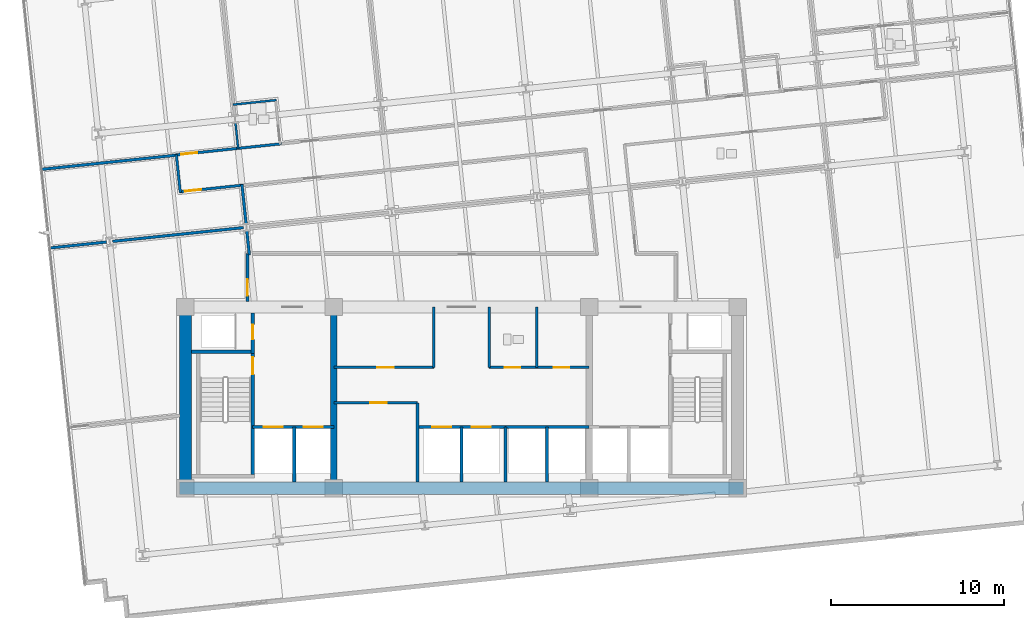
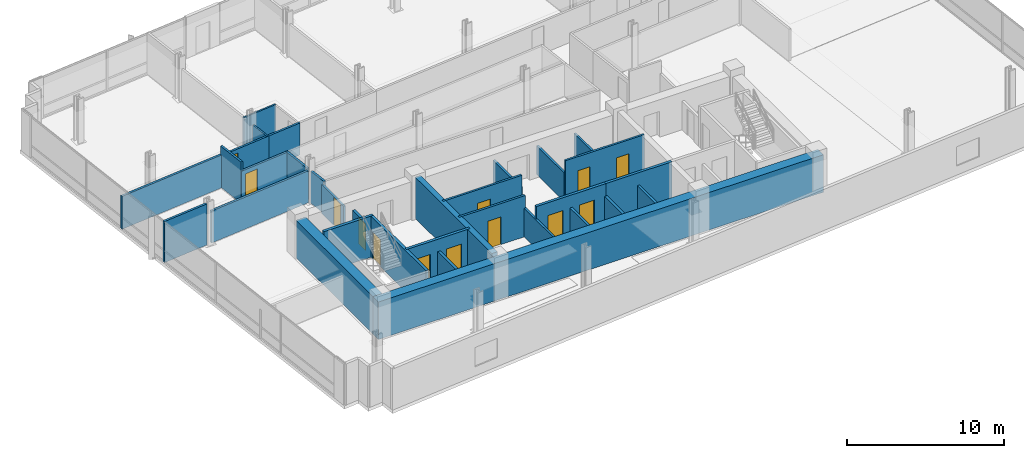
# One storey, part 13 of 21: 32 walls, 13 doors, 13 openings.
"""IFC4 building model written with IfcOpenShell, lengths in metres."""

from ifc_helpers import new_model, si_unit, direction, frame, frame_2d, origin, place, context, subcontext, project, spatial, rectangle, extrude, material, layer, layer_set, type_object, element, fill, save


model = new_model("IFC4")

# Units and contexts
model_context = context("Model", 3, precision=1e-05, world=origin(), true_north=direction((0.0, 1.0)))
body_context = subcontext(model_context, "Body", "Model", "MODEL_VIEW")
ifc_project = project(units=[si_unit("LENGTHUNIT", "METRE"), si_unit("AREAUNIT", "SQUARE_METRE"), si_unit("VOLUMEUNIT", "CUBIC_METRE"), si_unit("PLANEANGLEUNIT", "RADIAN"), si_unit("MASSUNIT", "GRAM", prefix="KILO")], contexts=[model_context])

# Site, building, storey
site_placement = place(None, origin())
site = spatial("IfcSite", under=ifc_project, at=site_placement, CompositionType="ELEMENT")
building_placement = place(site_placement, origin())
building = spatial("IfcBuilding", under=site, at=building_placement, Name="Solmavex Isthmus Hotel", CompositionType="ELEMENT")
storey_placement = place(building_placement, frame((0.0, 0.0, 113.25)))
storey = spatial("IfcBuildingStorey", under=building, at=storey_placement, Name="L30", CompositionType="ELEMENT", Elevation=113.25)

# Wall, opening, door
ifc_material_1 = material(Name="Gypsum plasterboard lining", Category="gypsum")
ifc_layer_1 = layer(ifc_material_1, 0.159912109375)
ifc_layer_set_1 = layer_set([ifc_layer_1], Name="Gypsum plasterboard lining")
wall_type_1 = type_object("IfcWallType", Name="IW-COMP-160", PredefinedType="PARTITIONING", material=ifc_layer_set_1)
wall_1_placement = place(storey_placement, frame((-7.39990234375, -8.050048828125, 0.0), z_axis=(0.0, 0.0, 1.0), x_axis=(1.0, 0.0, 0.0)))
wall_1 = element("IfcWall", 1, at=wall_1_placement, inside=storey, type_object=wall_type_1, Name="Interior Partition Wall W-L30-REC-PLL-N", PredefinedType="PARTITIONING", context=body_context, shape_type="SweptSolid", body=[
    extrude(rectangle(XDim=4.849853515625, YDim=0.159912109375, at=frame_2d((2.4248046875, 0.0))), origin(), (0.0, 0.0, 1.0), 3.18994140625),
])
opening_1_placement = place(wall_1_placement, frame((2.125, 0.0, 0.0)))
opening_1 = element("IfcOpeningElement", 2, at=opening_1_placement, cuts=wall_1, Name="Opening ID-C095", PredefinedType="OPENING", context=body_context, shape_type="SweptSolid", body=[
    extrude(rectangle(XDim=0.949951171875, YDim=2.14990234375, at=frame_2d((0.47509765625, 1.074951171875))), frame((0.0, 0.08984375, 0.0), z_axis=(0.0, -1.0, 0.0), x_axis=(1.0, 0.0, 0.0)), (0.0, 0.0, 1.0), 0.179931640625),
])
ifc_material_2 = material(Name="Hardwood timber", Category="wood")
door_type_1 = type_object("IfcDoorType", Name="IDR-FD60-0950", OperationType="NOTDEFINED", PredefinedType="DOOR", material=ifc_material_2)
door_1_placement = place(opening_1_placement, origin())
door_1 = element("IfcDoor", 3, at=door_1_placement, inside=storey, type_object=door_type_1, Name="Linen Reserve Door L30", OperationType="SINGLE_SWING_LEFT", OverallHeight=2.14990234375, OverallWidth=0.949951171875, PredefinedType="DOOR", context=body_context, shape_type="SweptSolid", body=[
    extrude(rectangle(XDim=0.949951171875, YDim=2.14990234375, at=frame_2d((0.47509765625, 1.074951171875))), frame((0.0, 0.02490234375, 0.0), z_axis=(0.0, -1.0, 0.0), x_axis=(1.0, 0.0, 0.0)), (0.0, 0.0, 1.0), 0.050048828125),
])
fill(opening_1, door_1)

# Walls
wall_2_placement = place(storey_placement, frame((-2.550048828125, -12.64990234375, 0.0), z_axis=(0.0, 0.0, 1.0), x_axis=(0.0, 1.0, 0.0)))
element("IfcWall", 4, at=wall_2_placement, inside=storey, type_object=wall_type_1, Name="Interior Partition Wall W-L30-REC-PLL-E", PredefinedType="PARTITIONING", context=body_context, shape_type="SweptSolid", body=[
    extrude(rectangle(XDim=4.599853515625, YDim=0.159912109375, at=frame_2d((2.2998046875, 0.0))), origin(), (0.0, 0.0, 1.0), 2.22509765625),
])
wall_3_placement = place(storey_placement, frame((-16.47802734375, 6.301513671875, 0.0), z_axis=(0.0, 0.0, 1.0), x_axis=(-0.994519786396, -0.104548526856, 0.0)))
element("IfcWall", 5, at=wall_3_placement, inside=storey, type_object=wall_type_1, Name="Interior Partition Wall W-L30-P027", PredefinedType="PARTITIONING", context=body_context, shape_type="SweptSolid", body=[
    extrude(rectangle(XDim=7.927978515625, YDim=0.159912109375, at=frame_2d((3.9638671875, 0.0))), origin(), (0.0, 0.0, 1.0), 2.55322265625),
])
wall_4_placement = place(storey_placement, frame((-12.718994140625, 4.594970703125, 0.0), z_axis=(0.0, 0.0, 1.0), x_axis=(0.104569435529, -0.994517588157, 0.0)))
element("IfcWall", 6, at=wall_4_placement, inside=storey, type_object=wall_type_1, Name="Interior Partition Wall W-L30-P057", PredefinedType="PARTITIONING", context=body_context, shape_type="SweptSolid", body=[
    extrude(rectangle(XDim=2.313720703125, YDim=0.159912109375, at=frame_2d((1.15673828125, 0.0))), origin(), (0.0, 0.0, 1.0), 2.4794921875),
])
wall_5_placement = place(storey_placement, frame((-20.558349609375, 1.267333984375, 0.0), z_axis=(0.0, 0.0, 1.0), x_axis=(-0.99451904707, -0.10455555946, 0.0)))
element("IfcWall", 7, at=wall_5_placement, inside=storey, type_object=wall_type_1, Name="Interior Partition Wall W-L30-P058", PredefinedType="PARTITIONING", context=body_context, shape_type="SweptSolid", body=[
    extrude(rectangle(XDim=3.34375, YDim=0.159912109375, at=frame_2d((1.671875, 0.0))), origin(), (0.0, 0.0, 1.0), 3.18994140625),
])
wall_6_placement = place(storey_placement, frame((-12.634033203125, 2.10009765625, 0.0), z_axis=(0.0, 0.0, 1.0), x_axis=(-0.994524056968, -0.104507894972, 0.0)))
element("IfcWall", 8, at=wall_6_placement, inside=storey, type_object=wall_type_1, Name="Interior Partition Wall W-L30-P059", PredefinedType="PARTITIONING", context=body_context, shape_type="SweptSolid", body=[
    extrude(rectangle(XDim=7.61572265625, YDim=0.159912109375, at=frame_2d((3.807861328125, 0.0))), origin(), (0.0, 0.0, 1.0), 2.4794921875),
])
wall_7_placement = place(storey_placement, frame((-12.289794921875, 0.51025390625, 0.0), z_axis=(0.0, 0.0, 1.0), x_axis=(-0.104534854339, 0.994521223619, 0.0)))
element("IfcWall", 9, at=wall_7_placement, inside=storey, type_object=wall_type_1, Name="Interior Partition Wall W-L30-P063", PredefinedType="PARTITIONING", context=body_context, shape_type="SweptSolid", body=[
    extrude(rectangle(XDim=1.44091796875, YDim=0.159912109375, at=frame_2d((0.720458984375, 0.0))), origin(), (0.0, 0.0, 1.0), 2.4794921875),
])

# Wall, opening, door
ifc_layer_2 = layer(ifc_material_1, 0.14990234375)
ifc_layer_set_2 = layer_set([ifc_layer_2], Name="Gypsum plasterboard lining")
wall_type_2 = type_object("IfcWallType", Name="IW-CORR-150", PredefinedType="PARTITIONING", material=ifc_layer_set_2)
wall_8_placement = place(storey_placement, frame((-7.39990234375, -6.0, 0.0), z_axis=(0.0, 0.0, 1.0), x_axis=(1.0, 0.0, 0.0)))
wall_8 = element("IfcWall", 10, at=wall_8_placement, inside=storey, type_object=wall_type_2, Name="Interior Partition Wall W-L30-BOH-WS", PredefinedType="PARTITIONING", context=body_context, shape_type="SweptSolid", body=[
    extrude(rectangle(XDim=5.7998046875, YDim=0.14990234375, at=frame_2d((2.89990234375, 0.0))), origin(), (0.0, 0.0, 1.0), 3.18994140625),
])
opening_2_placement = place(wall_8_placement, frame((2.52490234375, 0.0, 0.0)))
opening_2 = element("IfcOpeningElement", 11, at=opening_2_placement, cuts=wall_8, Name="Opening ID-C095", PredefinedType="OPENING", context=body_context, shape_type="SweptSolid", body=[
    extrude(rectangle(XDim=0.949951171875, YDim=2.14990234375, at=frame_2d((0.47509765625, 1.074951171875))), frame((0.0, 0.0849609375, 0.0), z_axis=(0.0, -1.0, 0.0), x_axis=(1.0, 0.0, 0.0)), (0.0, 0.0, 1.0), 0.169921875),
])
door_2_placement = place(opening_2_placement, frame((0.949951171875, 0.0, 0.0), z_axis=(0.0, 0.0, 1.0), x_axis=(-1.0, 0.0, 0.0)))
door_2 = element("IfcDoor", 12, at=door_2_placement, inside=storey, type_object=door_type_1, Name="Housekeeping Room Door L30", OperationType="SINGLE_SWING_LEFT", OverallHeight=2.14990234375, OverallWidth=0.949951171875, PredefinedType="DOOR", context=body_context, shape_type="SweptSolid", body=[
    extrude(rectangle(XDim=0.949951171875, YDim=2.14990234375, at=frame_2d((0.47509765625, 1.074951171875))), frame((0.0, 0.02490234375, 0.0), z_axis=(0.0, -1.0, 0.0), x_axis=(1.0, 0.0, 0.0)), (0.0, 0.0, 1.0), 0.050048828125),
])
fill(opening_2, door_2)

# Wall
wall_9_placement = place(storey_placement, frame((-1.60009765625, -6.0, 0.0), z_axis=(0.0, 0.0, 1.0), x_axis=(0.0, 1.0, 0.0)))
element("IfcWall", 13, at=wall_9_placement, inside=storey, type_object=wall_type_2, Name="Interior Partition Wall W-L30-BOH-WE", PredefinedType="PARTITIONING", context=body_context, shape_type="SweptSolid", body=[
    extrude(rectangle(XDim=3.5, YDim=0.14990234375, at=frame_2d((1.75, 0.0))), origin(), (0.0, 0.0, 1.0), 2.22509765625),
])

# Wall, openings, doors
wall_10_placement = place(storey_placement, frame((1.60009765625, -6.0, 0.0), z_axis=(0.0, 0.0, 1.0), x_axis=(1.0, 0.0, 0.0)))
wall_10 = element("IfcWall", 14, at=wall_10_placement, inside=storey, type_object=wall_type_2, Name="Interior Partition Wall W-L30-BOH-ES", PredefinedType="PARTITIONING", context=body_context, shape_type="SweptSolid", body=[
    extrude(rectangle(XDim=5.7998046875, YDim=0.14990234375, at=frame_2d((2.89990234375, 0.0))), origin(), (0.0, 0.0, 1.0), 3.18994140625),
])
opening_3_placement = place(wall_10_placement, frame((0.89990234375, 0.0, 0.0)))
opening_3 = element("IfcOpeningElement", 15, at=opening_3_placement, cuts=wall_10, Name="Opening ID-C090", PredefinedType="OPENING", context=body_context, shape_type="SweptSolid", body=[
    extrude(rectangle(XDim=0.89990234375, YDim=2.10009765625, at=frame_2d((0.449951171875, 1.050048828125))), frame((0.0, 0.0849609375, 0.0), z_axis=(0.0, -1.0, 0.0), x_axis=(1.0, 0.0, 0.0)), (0.0, 0.0, 1.0), 0.169921875),
])
opening_4_placement = place(wall_10_placement, frame((3.75, 0.0, 0.0)))
opening_4 = element("IfcOpeningElement", 16, at=opening_4_placement, cuts=wall_10, Name="Opening ID-C090", PredefinedType="OPENING", context=body_context, shape_type="SweptSolid", body=[
    extrude(rectangle(XDim=0.89990234375, YDim=2.10009765625, at=frame_2d((0.449951171875, 1.050048828125))), frame((0.0, 0.0849609375, 0.0), z_axis=(0.0, -1.0, 0.0), x_axis=(1.0, 0.0, 0.0)), (0.0, 0.0, 1.0), 0.169921875),
])
door_type_2 = type_object("IfcDoorType", Name="IDR-FD60-0900", OperationType="NOTDEFINED", PredefinedType="DOOR", material=ifc_material_2)
door_3_placement = place(opening_3_placement, frame((0.89990234375, 0.0, 0.0), z_axis=(0.0, 0.0, 1.0), x_axis=(-1.0, 0.0, 0.0)))
door_3 = element("IfcDoor", 17, at=door_3_placement, inside=storey, type_object=door_type_2, Name="Staff WC Door L30", OperationType="SINGLE_SWING_RIGHT", OverallHeight=2.10009765625, OverallWidth=0.89990234375, PredefinedType="DOOR", context=body_context, shape_type="SweptSolid", body=[
    extrude(rectangle(XDim=0.89990234375, YDim=2.10009765625, at=frame_2d((0.449951171875, 1.050048828125))), frame((0.0, 0.02490234375, 0.0), z_axis=(0.0, -1.0, 0.0), x_axis=(1.0, 0.0, 0.0)), (0.0, 0.0, 1.0), 0.050048828125),
])
fill(opening_3, door_3)
door_4_placement = place(opening_4_placement, frame((0.89990234375, 0.0, 0.0), z_axis=(0.0, 0.0, 1.0), x_axis=(-1.0, 0.0, 0.0)))
door_4 = element("IfcDoor", 18, at=door_4_placement, inside=storey, type_object=door_type_2, Name="Pantry Door L30", OperationType="SINGLE_SWING_LEFT", OverallHeight=2.10009765625, OverallWidth=0.89990234375, PredefinedType="DOOR", context=body_context, shape_type="SweptSolid", body=[
    extrude(rectangle(XDim=0.89990234375, YDim=2.10009765625, at=frame_2d((0.449951171875, 1.050048828125))), frame((0.0, 0.02490234375, 0.0), z_axis=(0.0, -1.0, 0.0), x_axis=(1.0, 0.0, 0.0)), (0.0, 0.0, 1.0), 0.050048828125),
])
fill(opening_4, door_4)

# Wall
wall_11_placement = place(storey_placement, frame((1.60009765625, -6.0, 0.0), z_axis=(0.0, 0.0, 1.0), x_axis=(0.0, 1.0, 0.0)))
element("IfcWall", 19, at=wall_11_placement, inside=storey, type_object=wall_type_2, Name="Interior Partition Wall W-L30-BOH-EW", PredefinedType="PARTITIONING", context=body_context, shape_type="SweptSolid", body=[
    extrude(rectangle(XDim=3.5, YDim=0.14990234375, at=frame_2d((1.75, 0.0))), origin(), (0.0, 0.0, 1.0), 2.22509765625),
])

# Wall, opening, door
wall_12_placement = place(storey_placement, frame((-16.5595703125, 6.31298828125, 0.0), z_axis=(0.0, 0.0, 1.0), x_axis=(0.994525204328, 0.104496975826, 0.0)))
wall_12 = element("IfcWall", 20, at=wall_12_placement, inside=storey, type_object=wall_type_2, Name="Interior Partition Wall W-L30-P001", PredefinedType="PARTITIONING", context=body_context, shape_type="SweptSolid", body=[
    extrude(rectangle(XDim=3.7216796875, YDim=0.14990234375, at=frame_2d((1.86083984375, 0.0))), origin(), (0.0, 0.0, 1.0), 2.4794921875),
])
opening_5_placement = place(wall_12_placement, frame((0.315185546875, 0.0, 0.0)))
opening_5 = element("IfcOpeningElement", 21, at=opening_5_placement, cuts=wall_12, Name="Opening ID-C095", PredefinedType="OPENING", context=body_context, shape_type="SweptSolid", body=[
    extrude(rectangle(XDim=0.949951171875, YDim=2.14990234375, at=frame_2d((0.47509765625, 1.074951171875))), frame((0.0, 0.0849609375, 0.0), z_axis=(0.0, -1.0, 0.0), x_axis=(1.0, 0.0, 0.0)), (0.0, 0.0, 1.0), 0.169921875),
])
door_5_placement = place(opening_5_placement, frame((0.949951171875, 0.0, 0.0), z_axis=(0.0, 0.0, 1.0), x_axis=(-1.0, 0.0, 0.0)))
door_5 = element("IfcDoor", 22, at=door_5_placement, inside=storey, type_object=door_type_1, Name="Executive Hospitality Lounge Door L30-01", OperationType="SINGLE_SWING_LEFT", OverallHeight=2.14990234375, OverallWidth=0.949951171875, PredefinedType="DOOR", context=body_context, shape_type="SweptSolid", body=[
    extrude(rectangle(XDim=0.949951171875, YDim=2.14990234375, at=frame_2d((0.47509765625, 1.074951171875))), frame((0.0, 0.02490234375, 0.0), z_axis=(0.0, -1.0, 0.0), x_axis=(1.0, 0.0, 0.0)), (0.0, 0.0, 1.0), 0.050048828125),
])
fill(opening_5, door_5)

# Wall
wall_13_placement = place(storey_placement, frame((-13.021240234375, 6.684814453125, 0.0), z_axis=(0.0, 0.0, 1.0), x_axis=(0.994524370789, 0.104504908528, 0.0)))
element("IfcWall", 23, at=wall_13_placement, inside=storey, type_object=wall_type_2, Name="Interior Partition Wall W-L30-P003", PredefinedType="PARTITIONING", context=body_context, shape_type="SweptSolid", body=[
    extrude(rectangle(XDim=2.6142578125, YDim=0.14990234375, at=frame_2d((1.30712890625, 0.0))), origin(), (0.0, 0.0, 1.0), 2.4794921875),
])

# Wall, opening, door
wall_14_placement = place(storey_placement, frame((-12.63330078125, 4.563720703125, 0.0), z_axis=(0.0, 0.0, 1.0), x_axis=(-0.994525920558, -0.104490159046, 0.0)))
wall_14 = element("IfcWall", 24, at=wall_14_placement, inside=storey, type_object=wall_type_2, Name="Interior Partition Wall W-L30-P012", PredefinedType="PARTITIONING", context=body_context, shape_type="SweptSolid", body=[
    extrude(rectangle(XDim=3.721923828125, YDim=0.14990234375, at=frame_2d((1.86083984375, 0.0))), origin(), (0.0, 0.0, 1.0), 2.4794921875),
])
opening_6_placement = place(wall_14_placement, frame((2.456787109375, 0.0, 0.0)))
opening_6 = element("IfcOpeningElement", 25, at=opening_6_placement, cuts=wall_14, Name="Opening ID-C095", PredefinedType="OPENING", context=body_context, shape_type="SweptSolid", body=[
    extrude(rectangle(XDim=0.949951171875, YDim=2.14990234375, at=frame_2d((0.47509765625, 1.074951171875))), frame((0.0, 0.0849609375, 0.0), z_axis=(0.0, -1.0, 0.0), x_axis=(1.0, 0.0, 0.0)), (0.0, 0.0, 1.0), 0.169921875),
])
door_6_placement = place(opening_6_placement, frame((0.949951171875, 0.0, 0.0), z_axis=(0.0, 0.0, 1.0), x_axis=(-1.0, 0.0, 0.0)))
door_6 = element("IfcDoor", 26, at=door_6_placement, inside=storey, type_object=door_type_1, Name="Executive Meeting Room Door L30-14", OperationType="SINGLE_SWING_RIGHT", OverallHeight=2.14990234375, OverallWidth=0.949951171875, PredefinedType="DOOR", context=body_context, shape_type="SweptSolid", body=[
    extrude(rectangle(XDim=0.949951171875, YDim=2.14990234375, at=frame_2d((0.47509765625, 1.074951171875))), frame((0.0, 0.02490234375, 0.0), z_axis=(0.0, -1.0, 0.0), x_axis=(1.0, 0.0, 0.0)), (0.0, 0.0, 1.0), 0.050048828125),
])
fill(opening_6, door_6)

# Wall
wall_15_placement = place(storey_placement, frame((-16.291015625, 4.13916015625, 0.0), z_axis=(0.0, 0.0, 1.0), x_axis=(-0.104512255544, 0.994523598735, 0.0)))
element("IfcWall", 27, at=wall_15_placement, inside=storey, type_object=wall_type_2, Name="Interior Partition Wall W-L30-P013", PredefinedType="PARTITIONING", context=body_context, shape_type="SweptSolid", body=[
    extrude(rectangle(XDim=2.2099609375, YDim=0.14990234375, at=frame_2d((1.10498046875, 0.0))), origin(), (0.0, 0.0, 1.0), 3.18994140625),
])

# Wall, opening, door
wall_16_placement = place(storey_placement, frame((-12.39990234375, -2.18994140625, 0.0), z_axis=(0.0, 0.0, 1.0), x_axis=(0.0, 1.0, 0.0)))
wall_16 = element("IfcWall", 28, at=wall_16_placement, inside=storey, type_object=wall_type_2, Name="Interior Partition Wall W-L30-P018", PredefinedType="PARTITIONING", context=body_context, shape_type="SweptSolid", body=[
    extrude(rectangle(XDim=2.780029296875, YDim=0.14990234375, at=frame_2d((1.39013671875, 0.0))), origin(), (0.0, 0.0, 1.0), 2.22509765625),
])
opening_7_placement = place(wall_16_placement, frame((0.347900390625, 0.0, 0.0)))
opening_7 = element("IfcOpeningElement", 29, at=opening_7_placement, cuts=wall_16, Name="Opening ID-C095", PredefinedType="OPENING", context=body_context, shape_type="SweptSolid", body=[
    extrude(rectangle(XDim=0.949951171875, YDim=2.14990234375, at=frame_2d((0.47509765625, 1.074951171875))), frame((0.0, 0.0849609375, 0.0), z_axis=(0.0, -1.0, 0.0), x_axis=(1.0, 0.0, 0.0)), (0.0, 0.0, 1.0), 0.169921875),
])
door_7_placement = place(opening_7_placement, frame((0.949951171875, 0.0, 0.0), z_axis=(0.0, 0.0, 1.0), x_axis=(-1.0, 0.0, 0.0)))
door_7 = element("IfcDoor", 30, at=door_7_placement, inside=storey, type_object=door_type_1, Name="Club Reading Library Door L30-17", OperationType="SINGLE_SWING_LEFT", OverallHeight=2.14990234375, OverallWidth=0.949951171875, PredefinedType="DOOR", context=body_context, shape_type="SweptSolid", body=[
    extrude(rectangle(XDim=0.949951171875, YDim=2.14990234375, at=frame_2d((0.47509765625, 1.074951171875))), frame((0.0, 0.02490234375, 0.0), z_axis=(0.0, -1.0, 0.0), x_axis=(1.0, 0.0, 0.0)), (0.0, 0.0, 1.0), 0.050048828125),
])
fill(opening_7, door_7)

# Walls
ifc_layer_3 = layer(ifc_material_1, 0.1201171875)
ifc_layer_set_3 = layer_set([ifc_layer_3], Name="Gypsum plasterboard lining")
wall_type_3 = type_object("IfcWallType", Name="IW-PART-120", PredefinedType="PARTITIONING", material=ifc_layer_set_3)
wall_17_placement = place(storey_placement, frame((4.35009765625, -6.0, 0.0), z_axis=(0.0, 0.0, 1.0), x_axis=(0.0, 1.0, 0.0)))
element("IfcWall", 31, at=wall_17_placement, inside=storey, type_object=wall_type_3, Name="Interior Partition Wall W-L30-BOH-EM0", PredefinedType="PARTITIONING", context=body_context, shape_type="SweptSolid", body=[
    extrude(rectangle(XDim=3.5, YDim=0.14990234375, at=frame_2d((1.75, 0.0))), origin(), (0.0, 0.0, 1.0), 2.22509765625),
])
wall_18_placement = place(storey_placement, frame((-13.0986328125, 8.206787109375, 0.0), z_axis=(0.0, 0.0, 1.0), x_axis=(0.104578999325, -0.994516582516, 0.0)))
element("IfcWall", 32, at=wall_18_placement, inside=storey, type_object=wall_type_3, Name="Interior Partition Wall W-L30-P026", PredefinedType="PARTITIONING", context=body_context, shape_type="SweptSolid", body=[
    extrude(rectangle(XDim=1.561767578125, YDim=0.1201171875, at=frame_2d((0.78076171875, 0.0))), origin(), (0.0, 0.0, 1.0), 2.4794921875),
])
wall_19_placement = place(storey_placement, frame((-10.729736328125, 9.48974609375, 0.0), z_axis=(0.0, 0.0, 1.0), x_axis=(-0.994523944136, -0.104508968707, 0.0)))
element("IfcWall", 33, at=wall_19_placement, inside=storey, type_object=wall_type_3, Name="Interior Partition Wall W-L30-P029", PredefinedType="PARTITIONING", context=body_context, shape_type="SweptSolid", body=[
    extrude(rectangle(XDim=2.530029296875, YDim=0.1201171875, at=frame_2d((1.26513671875, 0.0))), origin(), (0.0, 0.0, 1.0), 2.4794921875),
])
ifc_material_3 = material(Name="Concrete C40/50", Category="concrete")
ifc_layer_4 = layer(ifc_material_3, 0.179931640625)
ifc_layer_set_4 = layer_set([ifc_layer_4], Name="Concrete C40/50")
wall_type_4 = type_object("IfcWallType", Name="IW-SHAFT-180", PredefinedType="PARTITIONING", material=ifc_layer_set_4)
for number, where, z_axis, x_axis, name in (
    (34, (0.0, -12.64990234375, 0.0), (0.0, 0.0, 1.0), (0.0, 1.0, 0.0), "Interior Partition Wall W-L30-SH-PLM-M"),
    (35, (4.949951171875, -12.64990234375, 0.0), (0.0, 0.0, 1.0), (0.0, 1.0, 0.0), "Interior Partition Wall W-L30-SH-PLH-M"),
):
    element("IfcWall", number, at=place(storey_placement, frame(where, z_axis=z_axis, x_axis=x_axis)), inside=storey, type_object=wall_type_4, Name=name, PredefinedType="PARTITIONING", context=body_context, shape_type="SweptSolid", body=[
        extrude(rectangle(XDim=3.199951171875, YDim=0.179931640625, at=frame_2d((1.60009765625, 0.0))), origin(), (0.0, 0.0, 1.0), 2.22509765625),
    ])

# Wall, opening, door
ifc_layer_5 = layer(ifc_material_3, 0.199951171875)
ifc_layer_set_5 = layer_set([ifc_layer_5], Name="Concrete C40/50")
wall_type_5 = type_object("IfcWallType", Name="IW-SHAFT-200", PredefinedType="PARTITIONING", material=ifc_layer_set_5)
wall_20_placement = place(storey_placement, frame((-12.10009765625, -5.199951171875, 0.0), z_axis=(0.0, 0.0, 1.0), x_axis=(0.0, 1.0, 0.0)))
wall_20 = element("IfcWall", 36, at=wall_20_placement, inside=storey, type_object=wall_type_5, Name="Interior Partition Wall W-L30-RSW-E", PredefinedType="PARTITIONING", context=body_context, shape_type="SweptSolid", body=[
    extrude(rectangle(XDim=2.349853515625, YDim=0.199951171875, at=frame_2d((1.1748046875, 0.0))), origin(), (0.0, 0.0, 1.0), 2.22509765625),
])
opening_8_placement = place(wall_20_placement, frame((0.824951171875, 0.0, 0.0)))
opening_8 = element("IfcOpeningElement", 37, at=opening_8_placement, cuts=wall_20, Name="Opening ID-R085", PredefinedType="OPENING", context=body_context, shape_type="SweptSolid", body=[
    extrude(rectangle(XDim=0.85009765625, YDim=2.050048828125, at=frame_2d((0.425048828125, 1.02490234375))), frame((0.0, 0.10986328125, 0.0), z_axis=(0.0, -1.0, 0.0), x_axis=(1.0, 0.0, 0.0)), (0.0, 0.0, 1.0), 0.219970703125),
])
ifc_material_4 = material(Name="Steel ASTM A500 Grade C", Category="steel")
door_type_3 = type_object("IfcDoorType", Name="IDR-FD60-0850", OperationType="NOTDEFINED", PredefinedType="DOOR", material=ifc_material_4)
door_8_placement = place(opening_8_placement, origin())
door_8 = element("IfcDoor", 38, at=door_8_placement, inside=storey, type_object=door_type_3, Name="Electrical Riser Door L30", OperationType="SINGLE_SWING_RIGHT", OverallHeight=2.050048828125, OverallWidth=0.85009765625, PredefinedType="DOOR", context=body_context, shape_type="SweptSolid", body=[
    extrude(rectangle(XDim=0.85009765625, YDim=2.050048828125, at=frame_2d((0.425048828125, 1.02490234375))), frame((0.0, 0.02490234375, 0.0), z_axis=(0.0, -1.0, 0.0), x_axis=(1.0, 0.0, 0.0)), (0.0, 0.0, 1.0), 0.050048828125),
])
fill(opening_8, door_8)

# Wall, openings, doors
wall_21_placement = place(storey_placement, frame((-12.10009765625, -9.449951171875, 0.0), z_axis=(0.0, 0.0, 1.0), x_axis=(1.0, 0.0, 0.0)))
wall_21 = element("IfcWall", 39, at=wall_21_placement, inside=storey, type_object=wall_type_5, Name="Interior Partition Wall W-L30-FFLW-S", PredefinedType="PARTITIONING", context=body_context, shape_type="SweptSolid", body=[
    extrude(rectangle(XDim=4.7001953125, YDim=0.199951171875, at=frame_2d((2.35009765625, 0.0))), origin(), (0.0, 0.0, 1.0), 3.18994140625),
])
opening_9_placement = place(wall_21_placement, frame((0.64990234375, 0.0, 0.0)))
opening_9 = element("IfcOpeningElement", 40, at=opening_9_placement, cuts=wall_21, Name="Opening LD-FF", PredefinedType="OPENING", context=body_context, shape_type="SweptSolid", body=[
    extrude(rectangle(XDim=1.10009765625, YDim=2.199951171875, at=frame_2d((0.550048828125, 1.10009765625))), frame((0.0, 0.10986328125, 0.0), z_axis=(0.0, -1.0, 0.0), x_axis=(1.0, 0.0, 0.0)), (0.0, 0.0, 1.0), 0.219970703125),
])
opening_10_placement = place(wall_21_placement, frame((2.949951171875, 0.0, 0.0)))
opening_10 = element("IfcOpeningElement", 41, at=opening_10_placement, cuts=wall_21, Name="Opening LD-SV", PredefinedType="OPENING", context=body_context, shape_type="SweptSolid", body=[
    extrude(rectangle(XDim=1.10009765625, YDim=2.199951171875, at=frame_2d((0.550048828125, 1.10009765625))), frame((0.0, 0.10986328125, 0.0), z_axis=(0.0, -1.0, 0.0), x_axis=(1.0, 0.0, 0.0)), (0.0, 0.0, 1.0), 0.219970703125),
])
ifc_material_5 = material(Name="Stainless steel 316", Category="steel")
door_type_4 = type_object("IfcDoorType", Name="LDR-FF-1100", OperationType="NOTDEFINED", PredefinedType="DOOR", material=ifc_material_5)
door_9_placement = place(opening_9_placement, origin())
door_9 = element("IfcDoor", 42, at=door_9_placement, inside=storey, type_object=door_type_4, Name="Lift Landing Door FFL-1 L30", OperationType="SLIDING_TO_LEFT", OverallHeight=2.199951171875, OverallWidth=1.10009765625, PredefinedType="DOOR", context=body_context, shape_type="SweptSolid", body=[
    extrude(rectangle(XDim=1.10009765625, YDim=2.199951171875, at=frame_2d((0.550048828125, 1.10009765625))), frame((0.0, 0.02490234375, 0.0), z_axis=(0.0, -1.0, 0.0), x_axis=(1.0, 0.0, 0.0)), (0.0, 0.0, 1.0), 0.050048828125),
])
fill(opening_9, door_9)
door_type_5 = type_object("IfcDoorType", Name="LDR-SV-1100", OperationType="NOTDEFINED", PredefinedType="DOOR", material=ifc_material_5)
door_10_placement = place(opening_10_placement, origin())
door_10 = element("IfcDoor", 43, at=door_10_placement, inside=storey, type_object=door_type_5, Name="Lift Landing Door SVL-1 L30", OperationType="SLIDING_TO_RIGHT", OverallHeight=2.199951171875, OverallWidth=1.10009765625, PredefinedType="DOOR", context=body_context, shape_type="SweptSolid", body=[
    extrude(rectangle(XDim=1.10009765625, YDim=2.199951171875, at=frame_2d((0.550048828125, 1.10009765625))), frame((0.0, 0.02490234375, 0.0), z_axis=(0.0, -1.0, 0.0), x_axis=(1.0, 0.0, 0.0)), (0.0, 0.0, 1.0), 0.050048828125),
])
fill(opening_10, door_10)

# Wall
wall_22_placement = place(storey_placement, frame((-9.699951171875, -12.64990234375, 0.0), z_axis=(0.0, 0.0, 1.0), x_axis=(0.0, 1.0, 0.0)))
element("IfcWall", 44, at=wall_22_placement, inside=storey, type_object=wall_type_5, Name="Interior Partition Wall W-L30-FFLW-M", PredefinedType="PARTITIONING", context=body_context, shape_type="SweptSolid", body=[
    extrude(rectangle(XDim=3.199951171875, YDim=0.199951171875, at=frame_2d((1.60009765625, 0.0))), origin(), (0.0, 0.0, 1.0), 2.22509765625),
])

# Wall, openings, doors
wall_23_placement = place(storey_placement, frame((-2.550048828125, -9.449951171875, 0.0), z_axis=(0.0, 0.0, 1.0), x_axis=(1.0, 0.0, 0.0)))
wall_23 = element("IfcWall", 45, at=wall_23_placement, inside=storey, type_object=wall_type_5, Name="Interior Partition Wall W-L30-SH-PLM", PredefinedType="PARTITIONING", context=body_context, shape_type="SweptSolid", body=[
    extrude(rectangle(XDim=5.10009765625, YDim=0.199951171875, at=frame_2d((2.550048828125, 0.0))), origin(), (0.0, 0.0, 1.0), 3.18994140625),
])
opening_11_placement = place(wall_23_placement, frame((0.85009765625, 0.0, 0.0)))
opening_11 = element("IfcOpeningElement", 46, at=opening_11_placement, cuts=wall_23, Name="Opening LD-PL", PredefinedType="OPENING", context=body_context, shape_type="SweptSolid", body=[
    extrude(rectangle(XDim=1.10009765625, YDim=2.199951171875, at=frame_2d((0.550048828125, 1.10009765625))), frame((0.0, 0.10986328125, 0.0), z_axis=(0.0, -1.0, 0.0), x_axis=(1.0, 0.0, 0.0)), (0.0, 0.0, 1.0), 0.219970703125),
])
opening_12_placement = place(wall_23_placement, frame((3.14990234375, 0.0, 0.0)))
opening_12 = element("IfcOpeningElement", 47, at=opening_12_placement, cuts=wall_23, Name="Opening LD-PL", PredefinedType="OPENING", context=body_context, shape_type="SweptSolid", body=[
    extrude(rectangle(XDim=1.10009765625, YDim=2.199951171875, at=frame_2d((0.550048828125, 1.10009765625))), frame((0.0, 0.10986328125, 0.0), z_axis=(0.0, -1.0, 0.0), x_axis=(1.0, 0.0, 0.0)), (0.0, 0.0, 1.0), 0.219970703125),
])
door_type_6 = type_object("IfcDoorType", Name="LDR-PL-1100", OperationType="NOTDEFINED", PredefinedType="DOOR", material=ifc_material_5)
door_11_placement = place(opening_11_placement, origin())
door_11 = element("IfcDoor", 48, at=door_11_placement, inside=storey, type_object=door_type_6, Name="Lift Landing Door PLM1 L30", OperationType="SLIDING_TO_RIGHT", OverallHeight=2.199951171875, OverallWidth=1.10009765625, PredefinedType="DOOR", context=body_context, shape_type="SweptSolid", body=[
    extrude(rectangle(XDim=1.10009765625, YDim=2.199951171875, at=frame_2d((0.550048828125, 1.10009765625))), frame((0.0, 0.02490234375, 0.0), z_axis=(0.0, -1.0, 0.0), x_axis=(1.0, 0.0, 0.0)), (0.0, 0.0, 1.0), 0.050048828125),
])
fill(opening_11, door_11)
door_12_placement = place(opening_12_placement, origin())
door_12 = element("IfcDoor", 49, at=door_12_placement, inside=storey, type_object=door_type_6, Name="Lift Landing Door PLM2 L30", OperationType="SLIDING_TO_RIGHT", OverallHeight=2.199951171875, OverallWidth=1.10009765625, PredefinedType="DOOR", context=body_context, shape_type="SweptSolid", body=[
    extrude(rectangle(XDim=1.10009765625, YDim=2.199951171875, at=frame_2d((0.550048828125, 1.10009765625))), frame((0.0, 0.02490234375, 0.0), z_axis=(0.0, -1.0, 0.0), x_axis=(1.0, 0.0, 0.0)), (0.0, 0.0, 1.0), 0.050048828125),
])
fill(opening_12, door_12)

# Walls
wall_24_placement = place(storey_placement, frame((2.550048828125, -12.64990234375, 0.0), z_axis=(0.0, 0.0, 1.0), x_axis=(0.0, 1.0, 0.0)))
element("IfcWall", 50, at=wall_24_placement, inside=storey, type_object=wall_type_5, Name="Interior Partition Wall W-L30-SH-PLM-E", PredefinedType="PARTITIONING", context=body_context, shape_type="SweptSolid", body=[
    extrude(rectangle(XDim=3.199951171875, YDim=0.199951171875, at=frame_2d((1.60009765625, 0.0))), origin(), (0.0, 0.0, 1.0), 2.22509765625),
])
wall_25_placement = place(storey_placement, frame((2.550048828125, -9.449951171875, 0.0), z_axis=(0.0, 0.0, 1.0), x_axis=(1.0, 0.0, 0.0)))
element("IfcWall", 51, at=wall_25_placement, inside=storey, type_object=wall_type_5, Name="Interior Partition Wall W-L30-SH-PLH", PredefinedType="PARTITIONING", context=body_context, shape_type="SweptSolid", body=[
    extrude(rectangle(XDim=4.849853515625, YDim=0.199951171875, at=frame_2d((2.4248046875, 0.0))), origin(), (0.0, 0.0, 1.0), 3.18994140625),
])
ifc_material_6 = material(Name="Concrete C60/75", Category="concrete")
ifc_layer_6 = layer(ifc_material_6, 0.39990234375)
ifc_layer_set_6 = layer_set([ifc_layer_6], Name="Concrete C60/75")
wall_type_6 = type_object("IfcWallType", Name="WALL-CW-400M", PredefinedType="SHEAR", material=ifc_layer_set_6)
wall_26_placement = place(storey_placement, frame((-7.39990234375, -12.64990234375, 0.0), z_axis=(0.0, 0.0, 1.0), x_axis=(0.0, 1.0, 0.0)))
element("IfcWall", 52, at=wall_26_placement, inside=storey, type_object=wall_type_6, Name="Core Cross Shear Wall C1 L30", PredefinedType="SHEAR", context=body_context, shape_type="SweptSolid", body=[
    extrude(rectangle(XDim=9.7998046875, YDim=0.39990234375, at=frame_2d((4.89990234375, 0.0))), origin(), (0.0, 0.0, 1.0), 3.18994140625),
])
ifc_layer_7 = layer(ifc_material_6, 0.699951171875)
ifc_layer_set_7 = layer_set([ifc_layer_7], Name="Concrete C60/75")
wall_type_7 = type_object("IfcWallType", Name="WALL-CW-700", PredefinedType="SHEAR", material=ifc_layer_set_7)
wall_27_placement = place(storey_placement, frame((-16.35009765625, -13.0, 0.0), z_axis=(0.0, 0.0, 1.0), x_axis=(1.0, 0.0, 0.0)))
element("IfcWall", 53, at=wall_27_placement, inside=storey, type_object=wall_type_7, Name="Core Shear Wall South L30", PredefinedType="SHEAR", context=body_context, shape_type="SweptSolid", body=[
    extrude(rectangle(XDim=32.7001953125, YDim=0.699951171875, at=frame_2d((16.35009765625, 0.0))), origin(), (0.0, 0.0, 1.0), 2.909912109375),
])
wall_28_placement = place(storey_placement, frame((-16.0, -12.64990234375, 0.0), z_axis=(0.0, 0.0, 1.0), x_axis=(0.0, 1.0, 0.0)))
element("IfcWall", 54, at=wall_28_placement, inside=storey, type_object=wall_type_7, Name="Core Shear Wall West L30", PredefinedType="SHEAR", context=body_context, shape_type="SweptSolid", body=[
    extrude(rectangle(XDim=9.7998046875, YDim=0.699951171875, at=frame_2d((4.89990234375, 0.0))), origin(), (0.0, 0.0, 1.0), 2.909912109375),
])
ifc_layer_8 = layer(ifc_material_3, 0.199951171875)
ifc_layer_set_8 = layer_set([ifc_layer_8], Name="Concrete C40/50")
wall_type_8 = type_object("IfcWallType", Name="WALL-SW-200", PredefinedType="SOLIDWALL", material=ifc_layer_set_8)
wall_29_placement = place(storey_placement, frame((-15.64990234375, -5.10009765625, 0.0), z_axis=(0.0, 0.0, 1.0), x_axis=(1.0, 0.0, 0.0)))
element("IfcWall", 55, at=wall_29_placement, inside=storey, type_object=wall_type_8, Name="Stairwell Structural Wall SW-L30-ST1-N", PredefinedType="SOLIDWALL", context=body_context, shape_type="SweptSolid", body=[
    extrude(rectangle(XDim=3.64990234375, YDim=0.199951171875, at=frame_2d((1.824951171875, 0.0))), origin(), (0.0, 0.0, 1.0), 3.18994140625),
])

# Wall, opening, door
wall_30_placement = place(storey_placement, frame((-12.10009765625, -12.199951171875, 0.0), z_axis=(0.0, 0.0, 1.0), x_axis=(0.0, 1.0, 0.0)))
wall_30 = element("IfcWall", 56, at=wall_30_placement, inside=storey, type_object=wall_type_8, Name="Stairwell Structural Wall SW-L30-ST1-E", PredefinedType="SOLIDWALL", context=body_context, shape_type="SweptSolid", body=[
    extrude(rectangle(XDim=7.0, YDim=0.199951171875, at=frame_2d((3.5, 0.0))), origin(), (0.0, 0.0, 1.0), 3.18994140625),
])
opening_13_placement = place(wall_30_placement, frame((5.800048828125, 0.0, 0.0)))
opening_13 = element("IfcOpeningElement", 57, at=opening_13_placement, cuts=wall_30, Name="Opening ID-F100", PredefinedType="OPENING", context=body_context, shape_type="SweptSolid", body=[
    extrude(rectangle(XDim=1.0, YDim=2.10009765625, at=frame_2d((0.5, 1.050048828125))), frame((0.0, 0.10986328125, 0.0), z_axis=(0.0, -1.0, 0.0), x_axis=(1.0, 0.0, 0.0)), (0.0, 0.0, 1.0), 0.219970703125),
])
door_type_7 = type_object("IfcDoorType", Name="IDR-FD90-1000", OperationType="NOTDEFINED", PredefinedType="DOOR", material=ifc_material_4)
door_13_placement = place(opening_13_placement, frame((1.0, 0.0, 0.0), z_axis=(0.0, 0.0, 1.0), x_axis=(-1.0, 0.0, 0.0)))
door_13 = element("IfcDoor", 58, at=door_13_placement, inside=storey, type_object=door_type_7, Name="Stair ST-1 Fire Door L30", OperationType="SINGLE_SWING_LEFT", OverallHeight=2.10009765625, OverallWidth=1.0, PredefinedType="DOOR", context=body_context, shape_type="SweptSolid", body=[
    extrude(rectangle(XDim=1.0, YDim=2.10009765625, at=frame_2d((0.5, 1.050048828125))), frame((0.0, 0.02490234375, 0.0), z_axis=(0.0, -1.0, 0.0), x_axis=(1.0, 0.0, 0.0)), (0.0, 0.0, 1.0), 0.050048828125),
])
fill(opening_13, door_13)

save(model, "model.ifc")
